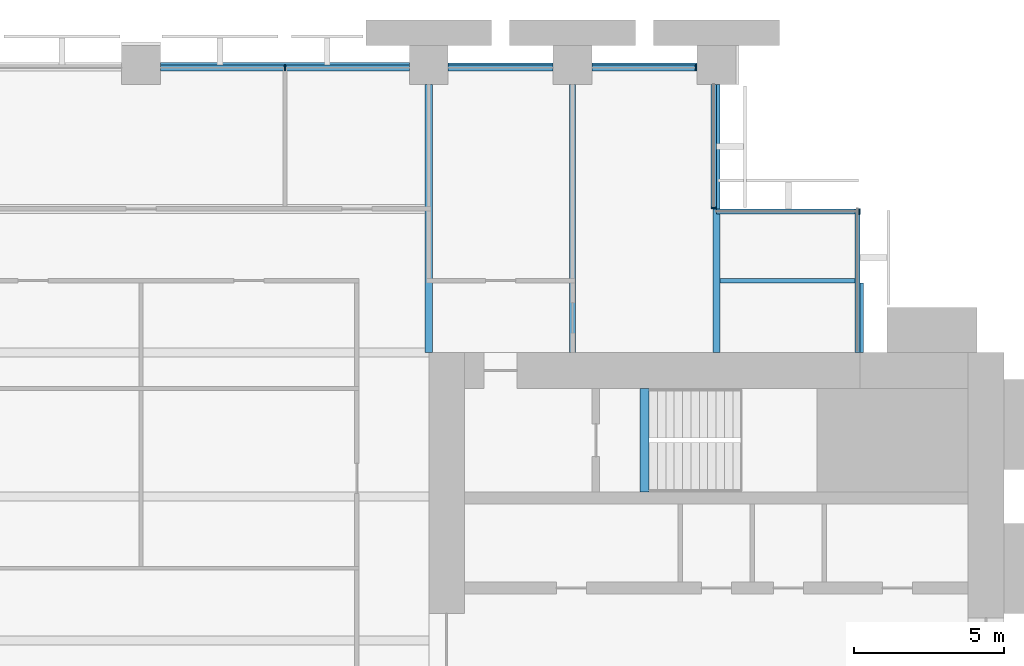
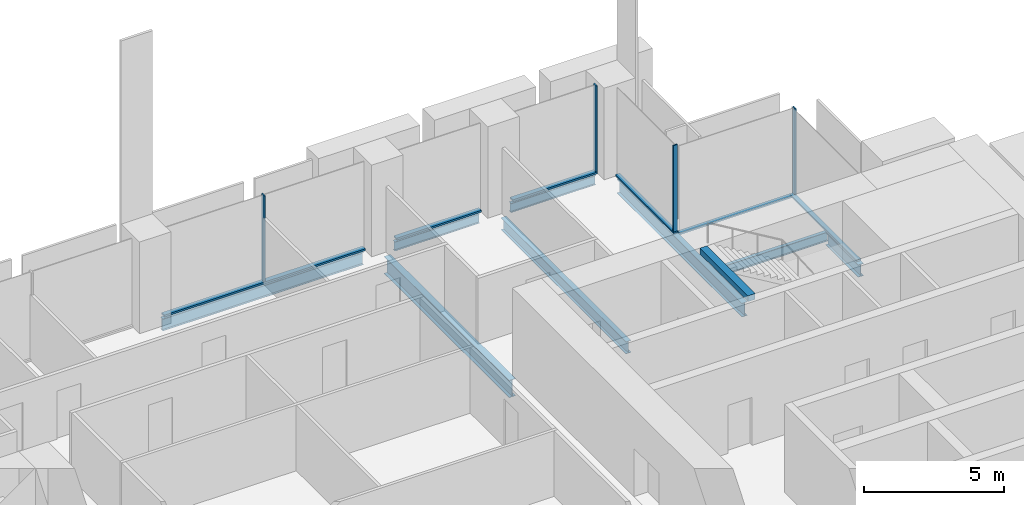
# One storey, part 7 of 14: 10 members, 9 beams, 4 elements without a shape of their own.
"""IFC4 building model written with IfcOpenShell, lengths in metres."""

import ifcopenshell
import ifcopenshell.guid

model = None  # the IFC model being written
_history = None  # IfcOwnerHistory: only IFC2X3 demands one
_inside = {}  # id of a spatial element -> (the spatial element, [elements in it])
_under = {}  # id of a project, library or spatial element -> (it, [spatial elements below it])
_declared = {}  # id of a project -> (the project, [libraries it declares])
_typed = {}  # id of a type object -> (the type object, [elements of that type])
_made_of = {}  # id of a material, layer set ... -> (it, [elements and type objects made of it])


def new_model(schema):
    """Start an empty IFC model of exactly this schema.

    Asked for "IFC4X3", IfcOpenShell would pick the latest addendum, in which some entities
    have other attributes; the version numbers below select the first issue.
    IFC2X3 requires an IfcOwnerHistory on every rooted entity: one is made here for all.
    """
    global model, _history
    if schema == "IFC4X3":
        model = ifcopenshell.file(schema_version=(4, 3, 0, 0))
    else:
        model = ifcopenshell.file(schema=schema)
    _inside.clear()
    _under.clear()
    _declared.clear()
    _typed.clear()
    _made_of.clear()
    _history = None
    if model.schema == "IFC2X3":
        org = make("IfcOrganization", Name="unknown")
        user = make(
            "IfcPersonAndOrganization",
            ThePerson=make("IfcPerson", FamilyName="unknown"),
            TheOrganization=org,
        )
        app = make(
            "IfcApplication",
            ApplicationDeveloper=org,
            Version="unknown",
            ApplicationFullName="unknown",
            ApplicationIdentifier="unknown",
        )
        _history = make(
            "IfcOwnerHistory",
            OwningUser=user,
            OwningApplication=app,
            ChangeAction="ADDED",
            CreationDate=0,
        )
    return model


def make(cls, **values):
    """One entity of the class cls with the attributes given. An attribute that is None is left unset."""
    return model.create_entity(
        cls, **{name: value for name, value in values.items() if value is not None}
    )


def rooted(cls, **values):
    """An entity with a GlobalId (a new one), such as an element, a storey or a relation."""
    return make(cls, GlobalId=ifcopenshell.guid.new(), OwnerHistory=_history, **values)


def si_unit(unit_type, name, prefix=None):
    """IfcSIUnit, for example si_unit("LENGTHUNIT", "METRE", prefix="MILLI")."""
    return make("IfcSIUnit", UnitType=unit_type, Prefix=prefix, Name=name)


def assignment(units):
    """IfcUnitAssignment: the units of a project."""
    return None if units is None else make("IfcUnitAssignment", Units=units)


def point(xyz):
    """IfcCartesianPoint."""
    return None if xyz is None else make("IfcCartesianPoint", Coordinates=xyz)


def direction(xyz):
    """IfcDirection."""
    return None if xyz is None else make("IfcDirection", DirectionRatios=xyz)


def frame(location, z_axis=None, x_axis=None):
    """IfcAxis2Placement3D, a coordinate frame: its origin and axes. An axis left out is left unset."""
    return make(
        "IfcAxis2Placement3D",
        Location=point(location),
        Axis=direction(z_axis),
        RefDirection=direction(x_axis),
    )


def frame_2d(location, x_axis=None):
    """IfcAxis2Placement2D, a coordinate frame in the plane: its origin and x axis."""
    return make(
        "IfcAxis2Placement2D", Location=point(location), RefDirection=direction(x_axis)
    )


def origin():
    """The frame at (0, 0, 0) with its axes left unset."""
    return frame((0.0, 0.0, 0.0))


def origin_2d():
    """The frame at (0, 0) in the plane with its x axis left unset."""
    return frame_2d((0.0, 0.0))


def place(relative_to, where):
    """IfcLocalPlacement: puts the frame where relative to a parent placement (None: the world)."""
    return make(
        "IfcLocalPlacement", PlacementRelTo=relative_to, RelativePlacement=where
    )


def context(
    kind, dimensions, precision=None, world=None, true_north=None, identifier=None
):
    """IfcGeometricRepresentationContext, for example the 3D "Model" context."""
    return make(
        "IfcGeometricRepresentationContext",
        ContextIdentifier=identifier,
        ContextType=kind,
        CoordinateSpaceDimension=dimensions,
        Precision=precision,
        WorldCoordinateSystem=world,
        TrueNorth=true_north,
    )


def subcontext(parent, identifier, kind, view, scale=None):
    """IfcGeometricRepresentationSubContext, for example "Body" below "Model"."""
    return make(
        "IfcGeometricRepresentationSubContext",
        ContextIdentifier=identifier,
        ContextType=kind,
        ParentContext=parent,
        TargetScale=scale,
        TargetView=view,
    )


def project(units=None, contexts=None):
    """IfcProject with its units and contexts."""
    return rooted(
        "IfcProject",
        Name="project",
        RepresentationContexts=contexts,
        UnitsInContext=assignment(units),
    )


def spatial(cls, under=None, at=None, **own):
    """A site, building, storey or space (cls), placed at a placement, below another one or the project."""
    s = rooted(cls, ObjectPlacement=at, **own)
    if under is not None:
        _under.setdefault(under.id(), (under, []))[1].append(s)
    return s


def profile(cls, at=None, kind="AREA", **sizes):
    """A parametric profile (cls). Its sizes go by their IFC names, for example OverallWidth=200.0."""
    return make(cls, ProfileType=kind, Position=at, **sizes)


def rectangle(**sizes):
    """IfcRectangleProfileDef."""
    return profile("IfcRectangleProfileDef", **sizes)


def i_section(**sizes):
    """IfcIShapeProfileDef."""
    return profile("IfcIShapeProfileDef", **sizes)


def extrude(swept, where, along, depth):
    """IfcExtrudedAreaSolid: the profile swept, set in the frame where, extruded along a direction by depth."""
    return make(
        "IfcExtrudedAreaSolid",
        SweptArea=swept,
        Position=where,
        ExtrudedDirection=direction(along),
        Depth=depth,
    )


def shape(context_of_items, identifier, shape_type, items):
    """IfcShapeRepresentation: the items that make up one representation, for example the "Body"."""
    return make(
        "IfcShapeRepresentation",
        ContextOfItems=context_of_items,
        RepresentationIdentifier=identifier,
        RepresentationType=shape_type,
        Items=items,
    )


def material(Name=None, Category=None):
    """IfcMaterial."""
    return make("IfcMaterial", Name=Name, Category=Category)


def material_profile(
    of_material, cross_section, Name=None, Category=None, Priority=None
):
    """IfcMaterialProfile: a cross section and its material."""
    return make(
        "IfcMaterialProfile",
        Name=Name,
        Material=of_material,
        Profile=cross_section,
        Priority=Priority,
        Category=Category,
    )


def profile_set(profiles, Name=None, composite=None):
    """IfcMaterialProfileSet."""
    return make(
        "IfcMaterialProfileSet",
        Name=Name,
        MaterialProfiles=profiles,
        CompositeProfile=composite,
    )


def made_of(thing, what):
    """Note that an element or type object is made of a material, layer set ...; save() writes the relation."""
    if what is not None:
        _made_of.setdefault(what.id(), (what, []))[1].append(thing)
    return thing


def type_object(cls, material=None, **own):
    """A type object (cls), such as IfcWallType, which elements share."""
    return made_of(rooted(cls, **own), material)


def element(
    cls,
    number,
    at=None,
    inside=None,
    cuts=None,
    type_object=None,
    material=None,
    context=None,
    identifier="Body",
    shape_type=None,
    held_by="IfcProductDefinitionShape",
    body=None,
    shapes=None,
    **own,
):
    """One element of the class cls, such as IfcWall. Its Tag is "e" and its number.

    at: its placement. inside: the storey or other place that contains it. cuts: it is an
    opening in that element (IfcRelVoidsElement). A single representation is given by context,
    identifier, shape_type and body (its items); several are given by shapes. held_by: the class
    of the entity that holds the representations. save() writes the other relations.
    """
    e = rooted(cls, Tag="e%d" % number, ObjectPlacement=at, **own)
    if body is not None:
        shapes = [shape(context, identifier, shape_type, body)]
    if shapes is not None:
        e.Representation = make(held_by, Representations=shapes)
    if inside is not None:
        _inside.setdefault(inside.id(), (inside, []))[1].append(e)
    if cuts is not None:
        rooted(
            "IfcRelVoidsElement", RelatingBuildingElement=cuts, RelatedOpeningElement=e
        )
    if type_object is not None:
        _typed.setdefault(type_object.id(), (type_object, []))[1].append(e)
    return made_of(e, material)


def aggregate(whole, parts):
    """IfcRelAggregates: a whole, such as a stair, and the parts it consists of."""
    return rooted("IfcRelAggregates", RelatingObject=whole, RelatedObjects=parts)


def save(model, path):
    """Write the relations noted so far, then the file.

    IfcRelAggregates (storeys below a building ...), IfcRelContainedInSpatialStructure (elements
    in a storey), IfcRelDefinesByType, IfcRelAssociatesMaterial and IfcRelDeclares: one each for
    every whole, place, type object, material and project.
    """
    for whole, parts in _under.values():
        aggregate(whole, parts)
    for where, things in _inside.values():
        rooted(
            "IfcRelContainedInSpatialStructure",
            RelatedElements=things,
            RelatingStructure=where,
        )
    for kind, things in _typed.values():
        rooted("IfcRelDefinesByType", RelatedObjects=things, RelatingType=kind)
    for what, things in _made_of.values():
        rooted("IfcRelAssociatesMaterial", RelatedObjects=things, RelatingMaterial=what)
    for by, libraries in _declared.values():
        rooted("IfcRelDeclares", RelatingContext=by, RelatedDefinitions=libraries)
    model.write(path)


model = new_model("IFC4")

# Units and contexts
model_context = context("Model", 3, precision=1e-05, world=origin(), true_north=direction((0.0, 1.0)))
body_context = subcontext(model_context, "Body", "Model", "MODEL_VIEW")
ifc_project = project(units=[si_unit("LENGTHUNIT", "METRE"), si_unit("AREAUNIT", "SQUARE_METRE"), si_unit("VOLUMEUNIT", "CUBIC_METRE"), si_unit("PLANEANGLEUNIT", "RADIAN"), si_unit("MASSUNIT", "GRAM", prefix="KILO")], contexts=[model_context])

# Site, building, storey
site_placement = place(None, origin())
site = spatial("IfcSite", under=ifc_project, at=site_placement, CompositionType="ELEMENT")
building_placement = place(site_placement, origin())
building = spatial("IfcBuilding", under=site, at=building_placement, Name="Baori Bourse Tower", CompositionType="ELEMENT")
storey_placement = place(building_placement, frame((0.0, 0.0, 63.0)))
storey = spatial("IfcBuildingStorey", under=building, at=storey_placement, Name="L13", CompositionType="ELEMENT", Elevation=63.0)

# Curtain wall, members
ifc_material_1 = material(Name="Pale anodised aluminium", Category="aluminium")
curtain_wall_type_1 = type_object("IfcCurtainWallType", Name="CW1 Curtain wall", PredefinedType="NOTDEFINED", material=ifc_material_1)
curtain_wall_1_placement = place(storey_placement, origin())
curtain_wall_1 = element("IfcCurtainWall", 1, at=curtain_wall_1_placement, inside=storey, type_object=curtain_wall_type_1, Name="Curtain wall CW1 L13 4", PredefinedType="NOTDEFINED")
ifc_material_2 = material(Name="Pale anodised aluminium", Category="aluminium")
ifc_material_profile_1 = material_profile(ifc_material_2, rectangle(XDim=0.199951171875, YDim=0.06005859375, at=origin_2d()), Name="Mullion 60x200")
ifc_profile_set_1 = profile_set([ifc_material_profile_1], Name="Pale anodised aluminium")
member_type_1 = type_object("IfcMemberType", Name="CW1 Curtain wall mullion", PredefinedType="MULLION", material=ifc_profile_set_1)
member_1_placement = place(storey_placement, frame((47.320068359375, 47.89990234375, 0.080078125), z_axis=(0.0, 0.0, 1.0), x_axis=(0.0, -1.0, 0.0)))
member_1 = element("IfcMember", 2, at=member_1_placement, type_object=member_type_1, Name="Curtain wall CW1 mullion", PredefinedType="MULLION", context=body_context, shape_type="SweptSolid", body=[
    extrude(rectangle(XDim=0.199951171875, YDim=0.06005859375, at=origin_2d()), origin(), (0.0, 0.0, 1.0), 3.760009765625),
])
member_2_placement = place(storey_placement, frame((33.60009765625, 47.89990234375, 0.080078125), z_axis=(0.0, 0.0, 1.0), x_axis=(0.0, -1.0, 0.0)))
member_2 = element("IfcMember", 3, at=member_2_placement, type_object=member_type_1, Name="Curtain wall CW1 mullion", PredefinedType="MULLION", context=body_context, shape_type="SweptSolid", body=[
    extrude(rectangle(XDim=0.199951171875, YDim=0.06005859375, at=origin_2d()), origin(), (0.0, 0.0, 1.0), 3.760009765625),
])
ifc_material_3 = material(Name="Pale anodised aluminium", Category="aluminium")
ifc_material_profile_2 = material_profile(ifc_material_3, rectangle(XDim=0.199951171875, YDim=0.080078125, at=origin_2d()), Name="Transom 80x200")
ifc_profile_set_2 = profile_set([ifc_material_profile_2], Name="Pale anodised aluminium")
member_type_2 = type_object("IfcMemberType", Name="CW1 Curtain wall transom", PredefinedType="USERDEFINED", material=ifc_profile_set_2)
member_3_placement = place(storey_placement, frame((47.35009765625, 47.89990234375, 0.0400390625), z_axis=(-1.0, 0.0, 0.0), x_axis=(0.0, -1.0, 0.0)))
member_3 = element("IfcMember", 4, at=member_3_placement, type_object=member_type_2, Name="Curtain wall CW1 sill rail", ObjectType="TRANSOM", PredefinedType="USERDEFINED", context=body_context, shape_type="SweptSolid", body=[
    extrude(rectangle(XDim=0.199951171875, YDim=0.080078125, at=origin_2d()), origin(), (0.0, 0.0, 1.0), 3.5),
])
member_4_placement = place(storey_placement, frame((42.550048828125, 47.89990234375, 0.0400390625), z_axis=(-1.0, 0.0, 0.0), x_axis=(0.0, -1.0, 0.0)))
member_4 = element("IfcMember", 5, at=member_4_placement, type_object=member_type_2, Name="Curtain wall CW1 sill rail", ObjectType="TRANSOM", PredefinedType="USERDEFINED", context=body_context, shape_type="SweptSolid", body=[
    extrude(rectangle(XDim=0.199951171875, YDim=0.080078125, at=origin_2d()), origin(), (0.0, 0.0, 1.0), 3.5),
])
member_5_placement = place(storey_placement, frame((37.75, 47.89990234375, 0.0400390625), z_axis=(-1.0, 0.0, 0.0), x_axis=(0.0, -1.0, 0.0)))
member_5 = element("IfcMember", 6, at=member_5_placement, type_object=member_type_2, Name="Curtain wall CW1 sill rail", ObjectType="TRANSOM", PredefinedType="USERDEFINED", context=body_context, shape_type="SweptSolid", body=[
    extrude(rectangle(XDim=0.199951171875, YDim=0.080078125, at=origin_2d()), origin(), (0.0, 0.0, 1.0), 8.300048828125),
])
aggregate(curtain_wall_1, [member_3, member_1, member_4, member_5, member_2])

# Curtain wall, member
ifc_material_4 = material(Name="Pale anodised aluminium", Category="aluminium")
curtain_wall_type_2 = type_object("IfcCurtainWallType", Name="CW2 Curtain wall", PredefinedType="NOTDEFINED", material=ifc_material_4)
curtain_wall_2_placement = place(storey_placement, origin())
curtain_wall_2 = element("IfcCurtainWall", 7, at=curtain_wall_2_placement, inside=storey, type_object=curtain_wall_type_2, Name="Curtain wall CW2 L13 2", PredefinedType="NOTDEFINED")
ifc_material_5 = material(Name="Pale anodised aluminium", Category="aluminium")
ifc_material_profile_3 = material_profile(ifc_material_5, rectangle(XDim=0.179931640625, YDim=0.054931640625, at=origin_2d()), Name="Mullion 55x180")
ifc_profile_set_3 = profile_set([ifc_material_profile_3], Name="Pale anodised aluminium")
member_type_3 = type_object("IfcMemberType", Name="CW2 Curtain wall mullion", PredefinedType="MULLION", material=ifc_profile_set_3)
member_6_placement = place(storey_placement, frame((52.7724609375, 43.110107421875, 0.070068359375), z_axis=(0.0, 0.0, 1.0), x_axis=(0.0, -1.0, 0.0)))
member_6 = element("IfcMember", 8, at=member_6_placement, type_object=member_type_3, Name="Curtain wall CW2 mullion", PredefinedType="MULLION", context=body_context, shape_type="SweptSolid", body=[
    extrude(rectangle(XDim=0.179931640625, YDim=0.054931640625, at=origin_2d()), origin(), (0.0, 0.0, 1.0), 3.77001953125),
])

curtain_wall_3_placement = place(storey_placement, origin())
curtain_wall_3 = element("IfcCurtainWall", 9, at=curtain_wall_3_placement, inside=storey, type_object=curtain_wall_type_2, Name="Curtain wall CW2 L13 3", PredefinedType="NOTDEFINED")
member_7_placement = place(storey_placement, frame((47.909912109375, 43.2275390625, 0.070068359375), z_axis=(0.0, 0.0, 1.0), x_axis=(-1.0, 0.0, 0.0)))
member_7 = element("IfcMember", 10, at=member_7_placement, type_object=member_type_3, Name="Curtain wall CW2 mullion", PredefinedType="MULLION", context=body_context, shape_type="SweptSolid", body=[
    extrude(rectangle(XDim=0.179931640625, YDim=0.054931640625, at=origin_2d()), origin(), (0.0, 0.0, 1.0), 3.77001953125),
])

curtain_wall_4_placement = place(storey_placement, origin())
curtain_wall_4 = element("IfcCurtainWall", 11, at=curtain_wall_4_placement, inside=storey, type_object=curtain_wall_type_2, Name="Curtain wall CW2 L13 1", PredefinedType="NOTDEFINED")
ifc_material_6 = material(Name="Pale anodised aluminium", Category="aluminium")
ifc_material_profile_4 = material_profile(ifc_material_6, rectangle(XDim=0.179931640625, YDim=0.070068359375, at=origin_2d()), Name="Transom 70x180")
ifc_profile_set_4 = profile_set([ifc_material_profile_4], Name="Pale anodised aluminium")
member_type_4 = type_object("IfcMemberType", Name="CW2 Curtain wall transom", PredefinedType="USERDEFINED", material=ifc_profile_set_4)
member_8_placement = place(storey_placement, frame((52.7099609375, 38.39990234375, 0.034912109375), z_axis=(0.0, 1.0, 0.0), x_axis=(-1.0, 0.0, 0.0)))
member_8 = element("IfcMember", 12, at=member_8_placement, type_object=member_type_4, Name="Curtain wall CW2 sill rail", ObjectType="TRANSOM", PredefinedType="USERDEFINED", context=body_context, shape_type="SweptSolid", body=[
    extrude(rectangle(XDim=0.179931640625, YDim=0.070068359375, at=origin_2d()), origin(), (0.0, 0.0, 1.0), 4.800048828125),
])
aggregate(curtain_wall_4, [member_8])

# Member
member_9_placement = place(storey_placement, frame((52.800048828125, 43.110107421875, 0.034912109375), z_axis=(-1.0, 0.0, 0.0), x_axis=(0.0, -1.0, 0.0)))
member_9 = element("IfcMember", 13, at=member_9_placement, type_object=member_type_4, Name="Curtain wall CW2 sill rail", ObjectType="TRANSOM", PredefinedType="USERDEFINED", context=body_context, shape_type="SweptSolid", body=[
    extrude(rectangle(XDim=0.179931640625, YDim=0.070068359375, at=origin_2d()), origin(), (0.0, 0.0, 1.0), 4.800048828125),
])

aggregate(curtain_wall_2, [member_9, member_6])

member_10_placement = place(storey_placement, frame((47.909912109375, 43.199951171875, 0.034912109375), z_axis=(0.0, 1.0, 0.0), x_axis=(-1.0, 0.0, 0.0)))
member_10 = element("IfcMember", 14, at=member_10_placement, type_object=member_type_4, Name="Curtain wall CW2 sill rail", ObjectType="TRANSOM", PredefinedType="USERDEFINED", context=body_context, shape_type="SweptSolid", body=[
    extrude(rectangle(XDim=0.179931640625, YDim=0.070068359375, at=origin_2d()), origin(), (0.0, 0.0, 1.0), 4.150146484375),
])

aggregate(curtain_wall_3, [member_10, member_7])

# Beams
ifc_material_7 = material(Name="Steel A992 Gr 50", Category="steel")
ifc_material_profile_5 = material_profile(ifc_material_7, i_section(OverallWidth=0.21240234375, OverallDepth=0.54345703125, WebThickness=0.01318359375, FlangeThickness=0.021240234375, at=origin_2d()), Name="W21x83")
ifc_profile_set_5 = profile_set([ifc_material_profile_5], Name="Steel A992 Gr 50")
beam_type_1 = type_object("IfcBeamType", Name="Core bracket W21x83", PredefinedType="BEAM", material=ifc_profile_set_5)
beam_1_placement = place(storey_placement, frame((52.800048828125, 38.39990234375, -0.431884765625), z_axis=(0.0, 1.0, 0.0), x_axis=(-1.0, 0.0, 0.0)))
element("IfcBeam", 15, at=beam_1_placement, inside=storey, type_object=beam_type_1, Name="Core bracket L13", PredefinedType="BEAM", context=body_context, shape_type="SweptSolid", body=[
    extrude(i_section(OverallWidth=0.21240234375, OverallDepth=0.54345703125, WebThickness=0.01318359375, FlangeThickness=0.021240234375, at=origin_2d()), origin(), (0.0, 0.0, 1.0), 2.329833984375),
])
ifc_material_8 = material(Name="Steel A992 Gr 50", Category="steel")
ifc_material_profile_6 = material_profile(ifc_material_8, i_section(OverallWidth=0.140380859375, OverallDepth=0.40380859375, WebThickness=0.007080078125, FlangeThickness=0.01123046875, at=origin_2d()), Name="W16x31")
ifc_profile_set_6 = profile_set([ifc_material_profile_6], Name="Steel A992 Gr 50")
beam_type_2 = type_object("IfcBeamType", Name="Edge beam W16x31", PredefinedType="BEAM", material=ifc_profile_set_6)
for number, where, z_axis, x_axis, name in (
    (16, (39.050048828125, 48.0, -0.36181640625), (1.0, 0.0, 0.0), (0.0, 1.0, 0.0), "Edge beam L13"),
    (17, (43.85009765625, 48.0, -0.36181640625), (1.0, 0.0, 0.0), (0.0, 1.0, 0.0), "Edge beam L13"),
):
    element("IfcBeam", number, at=place(storey_placement, frame(where, z_axis=z_axis, x_axis=x_axis)), inside=storey, type_object=beam_type_2, Name=name, PredefinedType="BEAM", context=body_context, shape_type="SweptSolid", body=[
        extrude(i_section(OverallWidth=0.140380859375, OverallDepth=0.40380859375, WebThickness=0.007080078125, FlangeThickness=0.01123046875, at=origin_2d()), origin(), (0.0, 0.0, 1.0), 3.5),
    ])
ifc_material_9 = material(Name="Steel A992 Gr 50", Category="steel")
ifc_material_profile_7 = material_profile(ifc_material_9, i_section(OverallWidth=0.1650390625, OverallDepth=0.52587890625, WebThickness=0.0087890625, FlangeThickness=0.011474609375, at=origin_2d()), Name="W21x44")
ifc_profile_set_7 = profile_set([ifc_material_profile_7], Name="Steel A992 Gr 50")
beam_type_3 = type_object("IfcBeamType", Name="Edge beam W21x44", PredefinedType="BEAM", material=ifc_profile_set_7)
beam_2_placement = place(storey_placement, frame((29.449951171875, 48.0, -0.4228515625), z_axis=(1.0, 0.0, 0.0), x_axis=(0.0, 1.0, 0.0)))
element("IfcBeam", 18, at=beam_2_placement, inside=storey, type_object=beam_type_3, Name="Edge beam L13", PredefinedType="BEAM", context=body_context, shape_type="SweptSolid", body=[
    extrude(i_section(OverallWidth=0.1650390625, OverallDepth=0.52587890625, WebThickness=0.0087890625, FlangeThickness=0.011474609375, at=origin_2d()), origin(), (0.0, 0.0, 1.0), 8.300048828125),
])
ifc_material_10 = material(Name="Steel A992 Gr 50", Category="steel")
ifc_material_profile_8 = material_profile(ifc_material_10, i_section(OverallWidth=0.209228515625, OverallDepth=0.533447265625, WebThickness=0.01025390625, FlangeThickness=0.015625, at=origin_2d()), Name="W21x62")
ifc_profile_set_8 = profile_set([ifc_material_profile_8], Name="Steel A992 Gr 50")
beam_type_4 = type_object("IfcBeamType", Name="Floor beam W21x62", PredefinedType="BEAM", material=ifc_profile_set_8)
beam_3_placement = place(storey_placement, frame((43.199951171875, 38.39990234375, -0.4267578125), z_axis=(0.0, 1.0, 0.0), x_axis=(-1.0, 0.0, 0.0)))
element("IfcBeam", 19, at=beam_3_placement, inside=storey, type_object=beam_type_4, Name="Floor beam L13", PredefinedType="BEAM", context=body_context, shape_type="SweptSolid", body=[
    extrude(i_section(OverallWidth=0.209228515625, OverallDepth=0.533447265625, WebThickness=0.01025390625, FlangeThickness=0.015625, at=origin_2d()), origin(), (0.0, 0.0, 1.0), 8.9501953125),
])
ifc_material_11 = material(Name="Steel A992 Gr 50", Category="steel")
ifc_material_profile_9 = material_profile(ifc_material_11, i_section(OverallWidth=0.227783203125, OverallDepth=0.60205078125, WebThickness=0.010498046875, FlangeThickness=0.014892578125, at=origin_2d()), Name="W24x68")
ifc_profile_set_9 = profile_set([ifc_material_profile_9], Name="Steel A992 Gr 50")
beam_type_5 = type_object("IfcBeamType", Name="Floor beam W24x68", PredefinedType="BEAM", material=ifc_profile_set_9)
beam_4_placement = place(storey_placement, frame((48.0, 38.39990234375, -0.4609375), z_axis=(0.0, 1.0, 0.0), x_axis=(-1.0, 0.0, 0.0)))
element("IfcBeam", 20, at=beam_4_placement, inside=storey, type_object=beam_type_5, Name="Floor beam L13", PredefinedType="BEAM", context=body_context, shape_type="SweptSolid", body=[
    extrude(i_section(OverallWidth=0.227783203125, OverallDepth=0.60205078125, WebThickness=0.010498046875, FlangeThickness=0.014892578125, at=origin_2d()), origin(), (0.0, 0.0, 1.0), 8.9501953125),
])
ifc_material_12 = material(Name="Steel A992 Gr 50", Category="steel")
ifc_material_profile_10 = material_profile(ifc_material_12, i_section(OverallWidth=0.2666015625, OverallDepth=0.7568359375, WebThickness=0.013916015625, FlangeThickness=0.019287109375, at=origin_2d()), Name="W30x108")
ifc_profile_set_10 = profile_set([ifc_material_profile_10], Name="Steel A992 Gr 50")
beam_type_6 = type_object("IfcBeamType", Name="Girder W30x108", PredefinedType="BEAM", material=ifc_profile_set_10)
beam_5_placement = place(storey_placement, frame((38.39990234375, 38.39990234375, -0.53857421875), z_axis=(0.0, 1.0, 0.0), x_axis=(-1.0, 0.0, 0.0)))
element("IfcBeam", 21, at=beam_5_placement, inside=storey, type_object=beam_type_6, Name="Girder L13", PredefinedType="BEAM", context=body_context, shape_type="SweptSolid", body=[
    extrude(i_section(OverallWidth=0.2666015625, OverallDepth=0.7568359375, WebThickness=0.013916015625, FlangeThickness=0.019287109375, at=origin_2d()), origin(), (0.0, 0.0, 1.0), 8.9501953125),
])
ifc_material_13 = material(Name="Concrete f'c 50 MPa", Category="concrete")
ifc_material_profile_11 = material_profile(ifc_material_13, rectangle(XDim=0.300048828125, YDim=0.25, at=origin_2d()), Name="RC 300x250")
ifc_profile_set_11 = profile_set([ifc_material_profile_11], Name="Concrete f'c 50 MPa")
beam_type_7 = type_object("IfcBeamType", Name="Stair nib beam RC 300x250", PredefinedType="BEAM", material=ifc_profile_set_11)
beam_6_placement = place(storey_placement, frame((45.60009765625, 33.75, 3.715087890625), z_axis=(0.0, 1.0, 0.0), x_axis=(-1.0, 0.0, 0.0)))
element("IfcBeam", 22, at=beam_6_placement, inside=storey, type_object=beam_type_7, Name="Stair EB nib beam L14", PredefinedType="BEAM", context=body_context, shape_type="SweptSolid", body=[
    extrude(rectangle(XDim=0.300048828125, YDim=0.25, at=origin_2d()), origin(), (0.0, 0.0, 1.0), 3.449951171875),
])
ifc_material_14 = material(Name="Steel A992 Gr 50", Category="steel")
ifc_material_profile_12 = material_profile(ifc_material_14, i_section(OverallWidth=0.140380859375, OverallDepth=0.40380859375, WebThickness=0.007080078125, FlangeThickness=0.01123046875, at=origin_2d()), Name="W16x31")
ifc_profile_set_12 = profile_set([ifc_material_profile_12], Name="Steel A992 Gr 50")
beam_type_8 = type_object("IfcBeamType", Name="Trimmer beam W16x31", PredefinedType="BEAM", material=ifc_profile_set_12)
beam_7_placement = place(storey_placement, frame((48.114013671875, 40.800048828125, -0.36181640625), z_axis=(1.0, 0.0, 0.0), x_axis=(0.0, 1.0, 0.0)))
element("IfcBeam", 23, at=beam_7_placement, inside=storey, type_object=beam_type_8, Name="Trimmer beam L13", PredefinedType="BEAM", context=body_context, shape_type="SweptSolid", body=[
    extrude(i_section(OverallWidth=0.140380859375, OverallDepth=0.40380859375, WebThickness=0.007080078125, FlangeThickness=0.01123046875, at=origin_2d()), origin(), (0.0, 0.0, 1.0), 4.68603515625),
])

save(model, "model.ifc")
